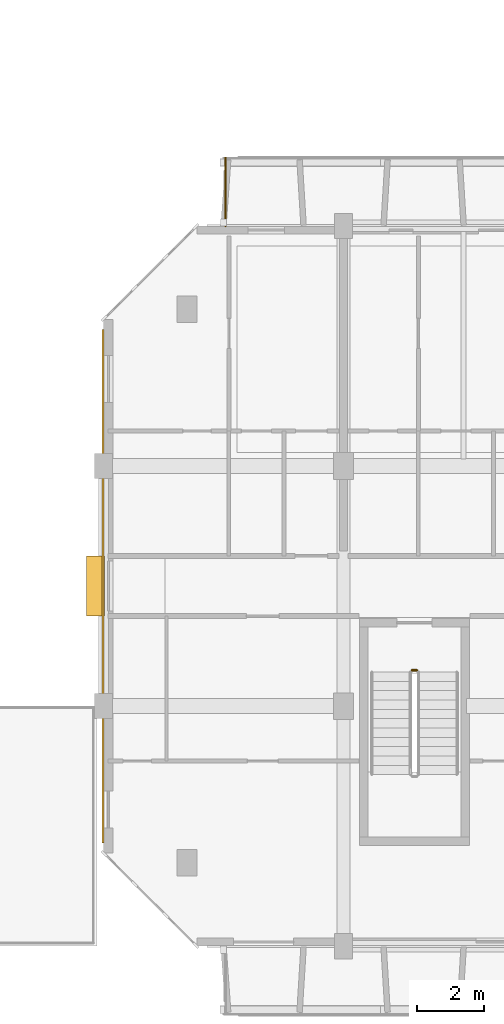
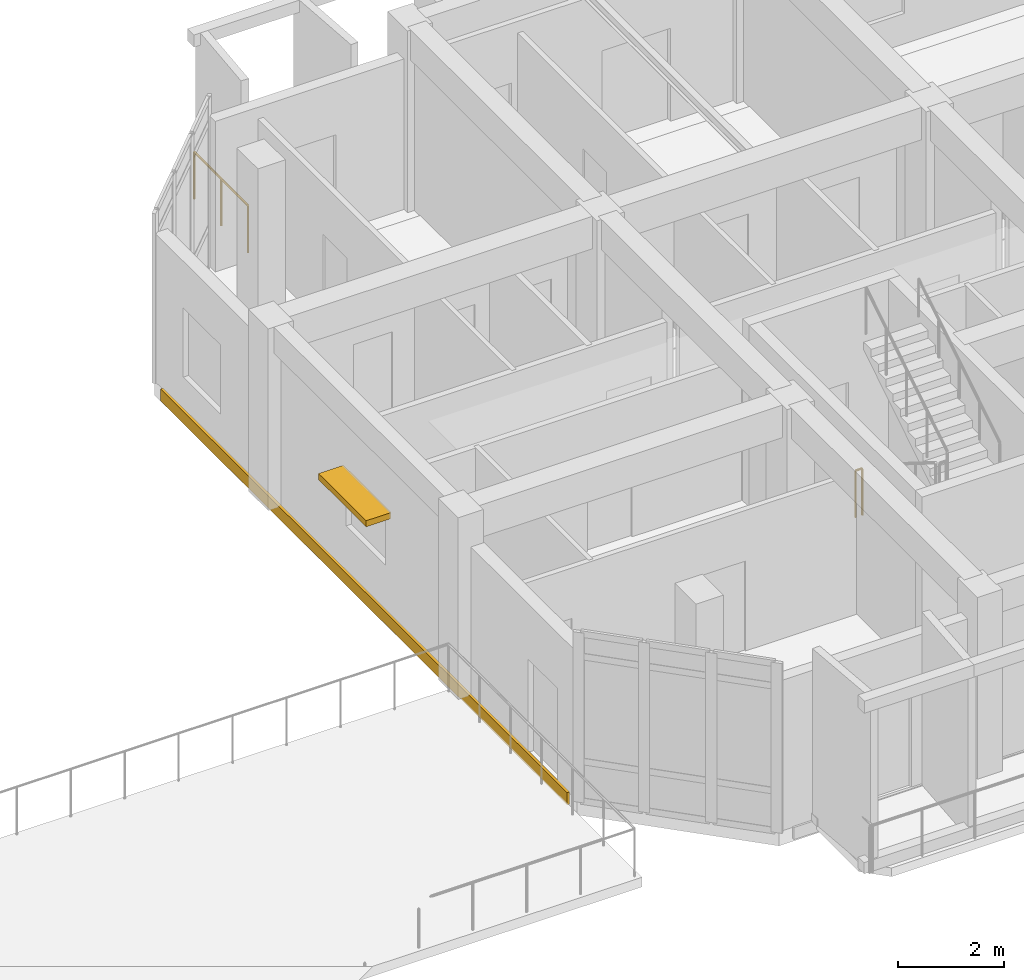
# One storey, part 83 of 85: 2 railings, 1 covering, 1 shading device.
"""IFC4 building model written with IfcOpenShell, lengths in metres."""

from ifc_helpers import new_model, si_unit, direction, frame, origin, origin_2d, place, context, subcontext, project, spatial, rectangle, circle, extrude, material, layer, layer_set, type_object, element, save


model = new_model("IFC4")

# Units and contexts
model_context = context("Model", 3, precision=1e-05, world=origin(), true_north=direction((0.0, 1.0)))
body_context = subcontext(model_context, "Body", "Model", "MODEL_VIEW")
ifc_project = project(units=[si_unit("LENGTHUNIT", "METRE"), si_unit("AREAUNIT", "SQUARE_METRE"), si_unit("VOLUMEUNIT", "CUBIC_METRE"), si_unit("PLANEANGLEUNIT", "RADIAN"), si_unit("MASSUNIT", "GRAM", prefix="KILO")], contexts=[model_context])

# Site, building, storey
site_placement = place(None, origin())
site = spatial("IfcSite", under=ifc_project, at=site_placement, CompositionType="ELEMENT")
building_placement = place(site_placement, origin())
building = spatial("IfcBuilding", under=site, at=building_placement, Name="Ochrevale Crest", CompositionType="ELEMENT")
storey_placement = place(building_placement, frame((0.0, 0.0, 4.5)))
storey = spatial("IfcBuildingStorey", under=building, at=storey_placement, Name="L01", CompositionType="ELEMENT", Elevation=4.5)

# Covering
ifc_material_1 = material(Name="Glazed terracotta rainscreen tile", Category="masonry")
ifc_layer = layer(ifc_material_1, 0.048095703125)
ifc_layer_set = layer_set([ifc_layer], Name="Glazed terracotta rainscreen tile")
covering_type = type_object("IfcCoveringType", Name="COV-CLAD-TER", PredefinedType="CLADDING", material=ifc_layer_set)
covering_placement = place(storey_placement, frame((129.58544921875, 82.800048828125, -0.26025390625), z_axis=(0.0, 0.0, 1.0), x_axis=(0.0, -1.0, 0.0)))
element("IfcCovering", 1, at=covering_placement, inside=storey, type_object=covering_type, Name="Block D L01 terracotta slab-edge spandrel cladding", PredefinedType="CLADDING", context=body_context, shape_type="SweptSolid", body=[
    extrude(rectangle(XDim=15.39990234375, YDim=0.06005859375, at=origin_2d()), origin(), (0.0, 0.0, 1.0), 0.280029296875),
])

# Railings
ifc_material_2 = material(Name="Galvanised steel", Category="steel")
railing_type_1 = type_object("IfcRailingType", Name="RL-BAL-1100", PredefinedType="BALUSTRADE", material=ifc_material_2)
railing_1_placement = place(storey_placement, frame((133.260009765625, 93.60009765625, 0.0)))
element("IfcRailing", 2, at=railing_1_placement, inside=storey, type_object=railing_type_1, Name="Block D L01 N-W balcony side guard", PredefinedType="BALUSTRADE", context=body_context, shape_type="SweptSolid", body=[
    extrude(circle(Radius=0.02392578125, at=origin_2d()), frame((0.0, 0.0, 1.0859375), z_axis=(0.0, 1.0, 0.0), x_axis=(-1.0, 0.0, 0.0)), (0.0, 0.0, 1.0), 2.039794921875),
    extrude(circle(Radius=0.02099609375, at=origin_2d()), origin(), (0.0, 0.0, 1.0), 1.06201171875),
    extrude(circle(Radius=0.02099609375, at=origin_2d()), frame((0.0, 1.02001953125, 0.0)), (0.0, 0.0, 1.0), 1.06201171875),
    extrude(circle(Radius=0.02099609375, at=origin_2d()), frame((0.0, 2.039794921875, 0.0)), (0.0, 0.0, 1.0), 1.06201171875),
])
railing_type_2 = type_object("IfcRailingType", Name="RL-ST-GUARD", PredefinedType="BALUSTRADE", material=ifc_material_2)
railing_2_placement = place(storey_placement, frame((138.85009765625, 80.27490234375, 0.0)))
element("IfcRailing", 3, at=railing_2_placement, inside=storey, type_object=railing_type_2, Name="L01 ST-D1 stair guard 4", PredefinedType="BALUSTRADE", context=body_context, shape_type="SweptSolid", body=[
    extrude(circle(Radius=0.02392578125, at=origin_2d()), frame((0.0, 0.0, 1.076171875), z_axis=(1.0, 0.0, 0.0), x_axis=(0.0, 1.0, 0.0)), (0.0, 0.0, 1.0), 0.14990234375),
    extrude(circle(Radius=0.02099609375, at=origin_2d()), origin(), (0.0, 0.0, 1.0), 1.052001953125),
    extrude(circle(Radius=0.02099609375, at=origin_2d()), frame((0.14990234375, 0.0, 0.0)), (0.0, 0.0, 1.0), 1.052001953125),
])

# Shading device
ifc_material_3 = material(Name="Anodised aluminium 6063-T5", Category="aluminium")
shading_device_type = type_object("IfcShadingDeviceType", Name="SHD-SUNSHADE-OC", PredefinedType="USERDEFINED", material=ifc_material_3)
shading_device_placement = place(storey_placement, frame((129.360107421875, 82.800048828125, 2.2099609375), z_axis=(0.0, 0.0, 1.0), x_axis=(1.0, 0.0, 0.0)))
element("IfcShadingDevice", 4, at=shading_device_placement, inside=storey, type_object=shading_device_type, Name="Block D L01 gable window sunshade W", ObjectType="HORIZONTAL SUNSHADE", PredefinedType="USERDEFINED", context=body_context, shape_type="SweptSolid", body=[
    extrude(rectangle(XDim=0.550048828125, YDim=1.800048828125, at=origin_2d()), origin(), (0.0, 0.0, 1.0), 0.139892578125),
])

save(model, "model.ifc")
